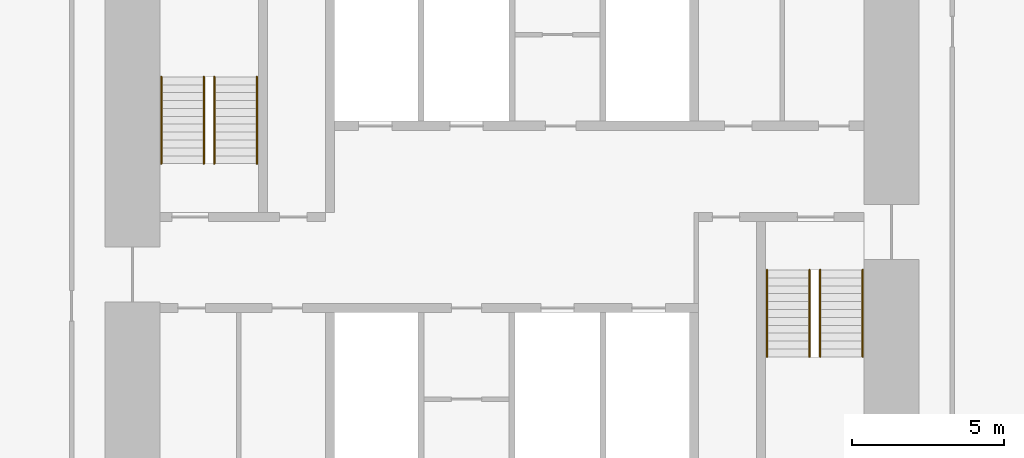
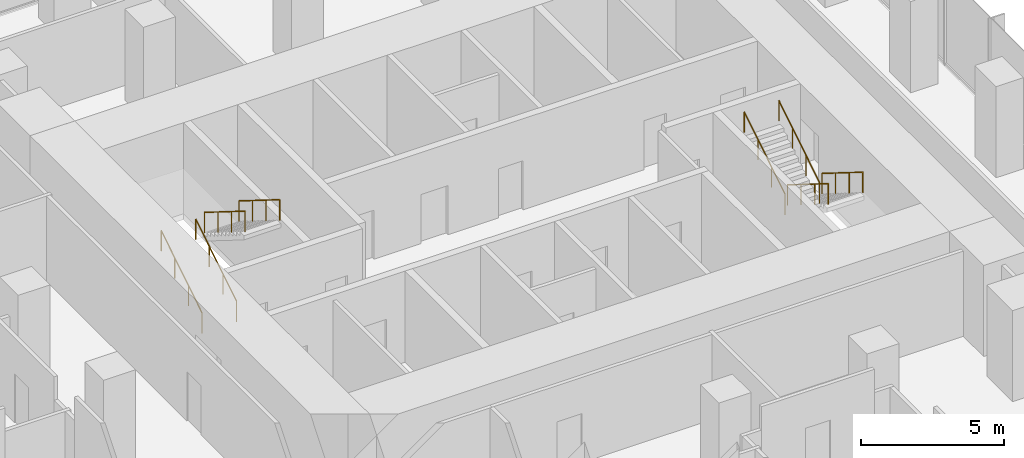
# One storey, part 11 of 11: 8 railings.
"""IFC4 building model written with IfcOpenShell, lengths in metres."""

from ifc_helpers import new_model, si_unit, direction, frame, origin, origin_2d, place, context, subcontext, project, spatial, circle, extrude, material, type_object, element, save


model = new_model("IFC4")

# Units and contexts
model_context = context("Model", 3, precision=1e-05, world=origin(), true_north=direction((0.0, 1.0)))
body_context = subcontext(model_context, "Body", "Model", "MODEL_VIEW")
ifc_project = project(units=[si_unit("LENGTHUNIT", "METRE"), si_unit("AREAUNIT", "SQUARE_METRE"), si_unit("VOLUMEUNIT", "CUBIC_METRE"), si_unit("PLANEANGLEUNIT", "RADIAN"), si_unit("MASSUNIT", "GRAM", prefix="KILO")], contexts=[model_context])

# Site, building, storey
site_placement = place(None, origin())
site = spatial("IfcSite", under=ifc_project, at=site_placement, CompositionType="ELEMENT")
building_placement = place(site_placement, origin())
building = spatial("IfcBuilding", under=site, at=building_placement, Name="Highveld Stack Headquarters", CompositionType="ELEMENT")
storey_placement = place(building_placement, frame((0.0, 0.0, 227.89990234375)))
storey = spatial("IfcBuildingStorey", under=building, at=storey_placement, Name="L56", CompositionType="ELEMENT", Elevation=227.89990234375)

# Railings
ifc_material = material(Name="Stainless steel handrail", Category="steel")
railing_type = type_object("IfcRailingType", Name="STAIR HANDRAIL HR1 900", PredefinedType="HANDRAIL", material=ifc_material)
for number, where, name in (
    (1, (-5.550048828125, 4.75, 0.16259765625), "Handrail S1 L56 flight 1"),
    (2, (-4.14990234375, 4.75, 0.16259765625), "Handrail S1 L56 flight 1"),
):
    element("IfcRailing", number, at=place(storey_placement, frame(where)), inside=storey, type_object=railing_type, Name=name, PredefinedType="HANDRAIL", context=body_context, shape_type="SweptSolid", body=[
        extrude(circle(Radius=0.02392578125, at=origin_2d()), frame((0.0, 0.0, 0.8759765625), z_axis=(0.0, 0.847994237388, 0.530005446535), x_axis=(-1.0, 0.0, 0.0)), (0.0, 0.0, 1.0), 3.372802734375),
        extrude(circle(Radius=0.02099609375, at=origin_2d()), origin(), (0.0, 0.0, 1.0), 0.851806640625),
        extrude(circle(Radius=0.02099609375, at=origin_2d()), frame((0.0, 0.953369140625, 0.595947265625)), (0.0, 0.0, 1.0), 0.851806640625),
        extrude(circle(Radius=0.02099609375, at=origin_2d()), frame((0.0, 1.90673828125, 1.191650390625)), (0.0, 0.0, 1.0), 0.851806640625),
        extrude(circle(Radius=0.02099609375, at=origin_2d()), frame((0.0, 2.860107421875, 1.78759765625)), (0.0, 0.0, 1.0), 0.851806640625),
    ])
for number, where, name in (
    (3, (-3.800048828125, 7.610107421875, 2.112548828125), "Handrail S1 L56 flight 2"),
    (4, (-2.39990234375, 7.610107421875, 2.112548828125), "Handrail S1 L56 flight 2"),
    (5, (16.14990234375, 1.25, 0.16259765625), "Handrail S2 L56 flight 1"),
    (6, (17.550048828125, 1.25, 0.16259765625), "Handrail S2 L56 flight 1"),
):
    element("IfcRailing", number, at=place(storey_placement, frame(where)), inside=storey, type_object=railing_type, Name=name, PredefinedType="HANDRAIL", context=body_context, shape_type="SweptSolid", body=[
        extrude(circle(Radius=0.02392578125, at=origin_2d()), frame((0.0, 0.0, 0.8759765625), z_axis=(0.0, -0.847994237388, 0.530005446535), x_axis=(1.0, 0.0, 0.0)), (0.0, 0.0, 1.0), 3.372802734375),
        extrude(circle(Radius=0.02099609375, at=origin_2d()), origin(), (0.0, 0.0, 1.0), 0.851806640625),
        extrude(circle(Radius=0.02099609375, at=origin_2d()), frame((0.0, -0.953369140625, 0.595947265625)), (0.0, 0.0, 1.0), 0.851806640625),
        extrude(circle(Radius=0.02099609375, at=origin_2d()), frame((0.0, -1.90673828125, 1.191650390625)), (0.0, 0.0, 1.0), 0.851806640625),
        extrude(circle(Radius=0.02099609375, at=origin_2d()), frame((0.0, -2.860107421875, 1.78759765625)), (0.0, 0.0, 1.0), 0.851806640625),
    ])
for number, where, name in (
    (7, (14.39990234375, -1.610107421875, 2.112548828125), "Handrail S2 L56 flight 2"),
    (8, (15.800048828125, -1.610107421875, 2.112548828125), "Handrail S2 L56 flight 2"),
):
    element("IfcRailing", number, at=place(storey_placement, frame(where)), inside=storey, type_object=railing_type, Name=name, PredefinedType="HANDRAIL", context=body_context, shape_type="SweptSolid", body=[
        extrude(circle(Radius=0.02392578125, at=origin_2d()), frame((0.0, 0.0, 0.8759765625), z_axis=(0.0, 0.847994237388, 0.530005446535), x_axis=(-1.0, 0.0, 0.0)), (0.0, 0.0, 1.0), 3.372802734375),
        extrude(circle(Radius=0.02099609375, at=origin_2d()), origin(), (0.0, 0.0, 1.0), 0.851806640625),
        extrude(circle(Radius=0.02099609375, at=origin_2d()), frame((0.0, 0.953369140625, 0.595947265625)), (0.0, 0.0, 1.0), 0.851806640625),
        extrude(circle(Radius=0.02099609375, at=origin_2d()), frame((0.0, 1.90673828125, 1.191650390625)), (0.0, 0.0, 1.0), 0.851806640625),
        extrude(circle(Radius=0.02099609375, at=origin_2d()), frame((0.0, 2.860107421875, 1.78759765625)), (0.0, 0.0, 1.0), 0.851806640625),
    ])

save(model, "model.ifc")
